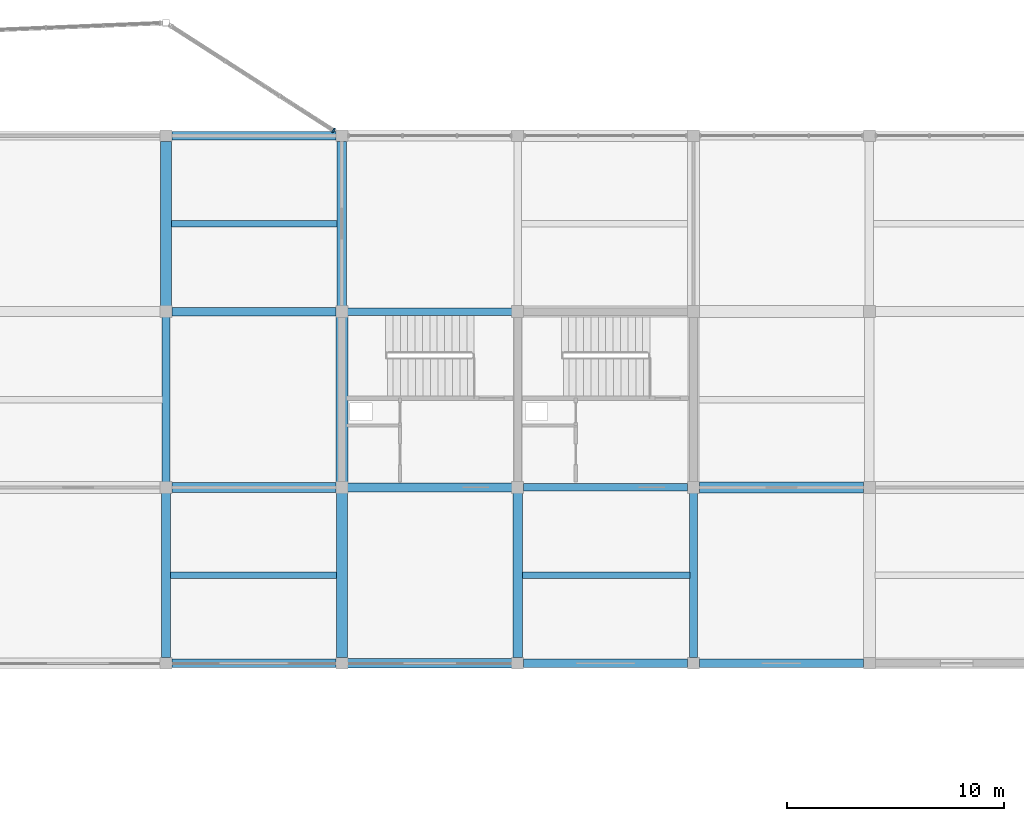
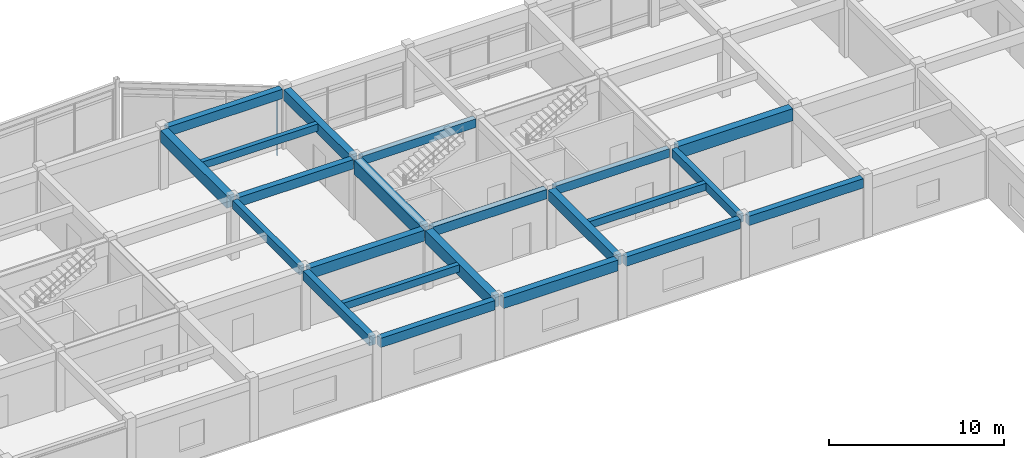
# One storey, part 14 of 42: 22 beams, 1 member, 1 element without a shape of its own.
"""IFC4 building model written with IfcOpenShell, lengths in metres."""

from ifc_helpers import new_model, si_unit, direction, frame, origin, origin_2d, place, context, subcontext, project, spatial, rectangle, extrude, material, layer, layer_set, material_profile, profile_set, type_object, element, aggregate, save


model = new_model("IFC4")

# Units and contexts
model_context = context("Model", 3, precision=1e-05, world=origin(), true_north=direction((0.0, 1.0)))
body_context = subcontext(model_context, "Body", "Model", "MODEL_VIEW")
ifc_project = project(units=[si_unit("LENGTHUNIT", "METRE"), si_unit("AREAUNIT", "SQUARE_METRE"), si_unit("VOLUMEUNIT", "CUBIC_METRE"), si_unit("PLANEANGLEUNIT", "RADIAN"), si_unit("MASSUNIT", "GRAM", prefix="KILO")], contexts=[model_context])

# Site, building, storey
site_placement = place(None, origin())
site = spatial("IfcSite", under=ifc_project, at=site_placement, CompositionType="ELEMENT")
building_placement = place(site_placement, origin())
building = spatial("IfcBuilding", under=site, at=building_placement, Name="Vaudrelin Polytechnic", CompositionType="ELEMENT")
storey_placement = place(building_placement, frame((0.0, 0.0, 18.530029296875)))
storey = spatial("IfcBuildingStorey", under=building, at=storey_placement, Name="L04", CompositionType="ELEMENT", Elevation=18.530029296875)

# Beams
ifc_material_1 = material(Name="Concrete 40 MPa", Category="concrete")
ifc_material_profile_1 = material_profile(ifc_material_1, rectangle(XDim=0.35009765625, YDim=0.60009765625, at=origin_2d()), Name="RC350x600")
ifc_profile_set_1 = profile_set([ifc_material_profile_1], Name="Concrete 40 MPa")
beam_type_1 = type_object("IfcBeamType", Name="BM-BM-RC3560", PredefinedType="BEAM", material=ifc_profile_set_1)
beam_1_placement = place(storey_placement, frame((97.199951171875, 105.56005859375, 3.85986328125), z_axis=(0.0, 1.0, 0.0), x_axis=(-1.0, 0.0, 0.0)))
element("IfcBeam", 1, at=beam_1_placement, inside=storey, type_object=beam_type_1, Name="L04 Y-beam 13-14", PredefinedType="BEAM", context=body_context, shape_type="SweptSolid", body=[
    extrude(rectangle(XDim=0.35009765625, YDim=0.60009765625, at=origin_2d()), origin(), (0.0, 0.0, 1.0), 7.579833984375),
])
beam_2_placement = place(storey_placement, frame((121.5, 97.4599609375, 3.85986328125), z_axis=(0.0, 1.0, 0.0), x_axis=(-1.0, 0.0, 0.0)))
element("IfcBeam", 2, at=beam_2_placement, inside=storey, type_object=beam_type_1, Name="L04 Y-beam 16-13", PredefinedType="BEAM", context=body_context, shape_type="SweptSolid", body=[
    extrude(rectangle(XDim=0.35009765625, YDim=0.60009765625, at=origin_2d()), origin(), (0.0, 0.0, 1.0), 7.580078125),
])
beam_3_placement = place(storey_placement, frame((105.571044921875, 113.39990234375, 3.85986328125), z_axis=(1.0, 0.0, 0.0), x_axis=(0.0, 1.0, 0.0)))
element("IfcBeam", 3, at=beam_3_placement, inside=storey, type_object=beam_type_1, Name="L04 X-beam 14-15", PredefinedType="BEAM", context=body_context, shape_type="SweptSolid", body=[
    extrude(rectangle(XDim=0.35009765625, YDim=0.60009765625, at=origin_2d()), origin(), (0.0, 0.0, 1.0), 7.557861328125),
])
beam_4_placement = place(storey_placement, frame((113.6708984375, 105.300048828125, 3.85986328125), z_axis=(1.0, 0.0, 0.0), x_axis=(0.0, 1.0, 0.0)))
element("IfcBeam", 4, at=beam_4_placement, inside=storey, type_object=beam_type_1, Name="L04 X-beam 15-14", PredefinedType="BEAM", context=body_context, shape_type="SweptSolid", body=[
    extrude(rectangle(XDim=0.35009765625, YDim=0.60009765625, at=origin_2d()), origin(), (0.0, 0.0, 1.0), 7.55810546875),
])
ifc_material_profile_2 = material_profile(ifc_material_1, rectangle(XDim=0.39990234375, YDim=0.64990234375, at=origin_2d()), Name="RC400x650")
ifc_profile_set_2 = profile_set([ifc_material_profile_2], Name="Concrete 40 MPa")
beam_type_2 = type_object("IfcBeamType", Name="BM-BM-RC4065", PredefinedType="BEAM", material=ifc_profile_set_2)
beam_5_placement = place(storey_placement, frame((97.199951171875, 97.4599609375, 3.8349609375), z_axis=(0.0, 1.0, 0.0), x_axis=(-1.0, 0.0, 0.0)))
element("IfcBeam", 5, at=beam_5_placement, inside=storey, type_object=beam_type_2, Name="L04 Y-beam 13-13", PredefinedType="BEAM", context=body_context, shape_type="SweptSolid", body=[
    extrude(rectangle(XDim=0.39990234375, YDim=0.64990234375, at=origin_2d()), origin(), (0.0, 0.0, 1.0), 7.580078125),
])
beam_6_placement = place(storey_placement, frame((97.470947265625, 113.39990234375, 3.8349609375), z_axis=(1.0, 0.0, 0.0), x_axis=(0.0, 1.0, 0.0)))
element("IfcBeam", 6, at=beam_6_placement, inside=storey, type_object=beam_type_2, Name="L04 X-beam 13-15", PredefinedType="BEAM", context=body_context, shape_type="SweptSolid", body=[
    extrude(rectangle(XDim=0.39990234375, YDim=0.64990234375, at=origin_2d()), origin(), (0.0, 0.0, 1.0), 7.55810546875),
])
beam_7_placement = place(storey_placement, frame((105.571044921875, 105.300048828125, 3.8349609375), z_axis=(1.0, 0.0, 0.0), x_axis=(0.0, 1.0, 0.0)))
element("IfcBeam", 7, at=beam_7_placement, inside=storey, type_object=beam_type_2, Name="L04 X-beam 14-14", PredefinedType="BEAM", context=body_context, shape_type="SweptSolid", body=[
    extrude(rectangle(XDim=0.39990234375, YDim=0.64990234375, at=origin_2d()), origin(), (0.0, 0.0, 1.0), 7.557861328125),
])
beam_8_placement = place(storey_placement, frame((113.6708984375, 97.199951171875, 3.8349609375), z_axis=(1.0, 0.0, 0.0), x_axis=(0.0, 1.0, 0.0)))
element("IfcBeam", 8, at=beam_8_placement, inside=storey, type_object=beam_type_2, Name="L04 X-beam 15-13", PredefinedType="BEAM", context=body_context, shape_type="SweptSolid", body=[
    extrude(rectangle(XDim=0.39990234375, YDim=0.64990234375, at=origin_2d()), origin(), (0.0, 0.0, 1.0), 7.55810546875),
])
ifc_material_profile_3 = material_profile(ifc_material_1, rectangle(XDim=0.449951171875, YDim=0.75, at=origin_2d()), Name="RC450x750")
ifc_profile_set_3 = profile_set([ifc_material_profile_3], Name="Concrete 40 MPa")
beam_type_3 = type_object("IfcBeamType", Name="BM-BM-RC4575", PredefinedType="BEAM", material=ifc_profile_set_3)
for number, where, z_axis, x_axis, name in (
    (9, (105.300048828125, 113.659912109375, 3.784912109375), (0.0, 1.0, 0.0), (-1.0, 0.0, 0.0), "L04 Y-beam 14-15"),
    (10, (113.39990234375, 97.4599609375, 3.784912109375), (0.0, 1.0, 0.0), (-1.0, 0.0, 0.0), "L04 Y-beam 15-13"),
):
    element("IfcBeam", number, at=place(storey_placement, frame(where, z_axis=z_axis, x_axis=x_axis)), inside=storey, type_object=beam_type_3, Name=name, PredefinedType="BEAM", context=body_context, shape_type="SweptSolid", body=[
        extrude(rectangle(XDim=0.449951171875, YDim=0.75, at=origin_2d()), origin(), (0.0, 0.0, 1.0), 7.580078125),
    ])
beam_9_placement = place(storey_placement, frame((97.470947265625, 105.300048828125, 3.784912109375), z_axis=(1.0, 0.0, 0.0), x_axis=(0.0, 1.0, 0.0)))
element("IfcBeam", 11, at=beam_9_placement, inside=storey, type_object=beam_type_3, Name="L04 X-beam 13-14", PredefinedType="BEAM", context=body_context, shape_type="SweptSolid", body=[
    extrude(rectangle(XDim=0.449951171875, YDim=0.75, at=origin_2d()), origin(), (0.0, 0.0, 1.0), 7.55810546875),
])
beam_10_placement = place(storey_placement, frame((105.571044921875, 97.199951171875, 3.784912109375), z_axis=(1.0, 0.0, 0.0), x_axis=(0.0, 1.0, 0.0)))
element("IfcBeam", 12, at=beam_10_placement, inside=storey, type_object=beam_type_3, Name="L04 X-beam 14-13", PredefinedType="BEAM", context=body_context, shape_type="SweptSolid", body=[
    extrude(rectangle(XDim=0.449951171875, YDim=0.75, at=origin_2d()), origin(), (0.0, 0.0, 1.0), 7.557861328125),
])
ifc_material_profile_4 = material_profile(ifc_material_1, rectangle(XDim=0.5, YDim=0.85009765625, at=origin_2d()), Name="RC500x850")
ifc_profile_set_4 = profile_set([ifc_material_profile_4], Name="Concrete 40 MPa")
beam_type_4 = type_object("IfcBeamType", Name="BM-BM-RC5085", PredefinedType="BEAM", material=ifc_profile_set_4)
for number, where, z_axis, x_axis, name in (
    (13, (97.199951171875, 113.659912109375, 3.73486328125), (0.0, 1.0, 0.0), (-1.0, 0.0, 0.0), "L04 Y-beam 13-15"),
    (14, (105.300048828125, 97.4599609375, 3.73486328125), (0.0, 1.0, 0.0), (-1.0, 0.0, 0.0), "L04 Y-beam 14-13"),
):
    element("IfcBeam", number, at=place(storey_placement, frame(where, z_axis=z_axis, x_axis=x_axis)), inside=storey, type_object=beam_type_4, Name=name, PredefinedType="BEAM", context=body_context, shape_type="SweptSolid", body=[
        extrude(rectangle(XDim=0.5, YDim=0.85009765625, at=origin_2d()), origin(), (0.0, 0.0, 1.0), 7.580078125),
    ])
beam_11_placement = place(storey_placement, frame((121.77099609375, 105.300048828125, 3.73486328125), z_axis=(1.0, 0.0, 0.0), x_axis=(0.0, 1.0, 0.0)))
element("IfcBeam", 15, at=beam_11_placement, inside=storey, type_object=beam_type_4, Name="L04 X-beam 16-14", PredefinedType="BEAM", context=body_context, shape_type="SweptSolid", body=[
    extrude(rectangle(XDim=0.5, YDim=0.85009765625, at=origin_2d()), origin(), (0.0, 0.0, 1.0), 7.55810546875),
])
ifc_material_2 = material(Name="Concrete 50 MPa", Category="concrete")
ifc_material_profile_5 = material_profile(ifc_material_2, rectangle(XDim=0.550048828125, YDim=0.949951171875, at=origin_2d()), Name="RC550x950")
ifc_profile_set_5 = profile_set([ifc_material_profile_5], Name="Concrete 50 MPa")
beam_type_5 = type_object("IfcBeamType", Name="BM-BM-RC5595", PredefinedType="BEAM", material=ifc_profile_set_5)
beam_12_placement = place(storey_placement, frame((105.300048828125, 105.56005859375, 3.68505859375), z_axis=(0.0, 1.0, 0.0), x_axis=(-1.0, 0.0, 0.0)))
element("IfcBeam", 16, at=beam_12_placement, inside=storey, type_object=beam_type_5, Name="L04 Y-beam 14-14", PredefinedType="BEAM", context=body_context, shape_type="SweptSolid", body=[
    extrude(rectangle(XDim=0.550048828125, YDim=0.949951171875, at=origin_2d()), origin(), (0.0, 0.0, 1.0), 7.579833984375),
])
ifc_material_profile_6 = material_profile(ifc_material_1, rectangle(XDim=0.300048828125, YDim=0.5, at=origin_2d()), Name="RC300x500")
ifc_profile_set_6 = profile_set([ifc_material_profile_6], Name="Concrete 40 MPa")
beam_type_6 = type_object("IfcBeamType", Name="BM-JS-RC3050", PredefinedType="JOIST", material=ifc_profile_set_6)
beam_13_placement = place(storey_placement, frame((97.39599609375, 101.25, 3.909912109375), z_axis=(1.0, 0.0, 0.0), x_axis=(0.0, 1.0, 0.0)))
element("IfcBeam", 17, at=beam_13_placement, inside=storey, type_object=beam_type_6, Name="L04 floor joist 13-13", PredefinedType="JOIST", context=body_context, shape_type="SweptSolid", body=[
    extrude(rectangle(XDim=0.300048828125, YDim=0.5, at=origin_2d()), origin(), (0.0, 0.0, 1.0), 7.657958984375),
])
beam_14_placement = place(storey_placement, frame((97.446044921875, 117.449951171875, 3.909912109375), z_axis=(1.0, 0.0, 0.0), x_axis=(0.0, 1.0, 0.0)))
element("IfcBeam", 18, at=beam_14_placement, inside=storey, type_object=beam_type_6, Name="L04 floor joist 13-15", PredefinedType="JOIST", context=body_context, shape_type="SweptSolid", body=[
    extrude(rectangle(XDim=0.300048828125, YDim=0.5, at=origin_2d()), origin(), (0.0, 0.0, 1.0), 7.633056640625),
])
beam_15_placement = place(storey_placement, frame((113.62109375, 101.25, 3.909912109375), z_axis=(1.0, 0.0, 0.0), x_axis=(0.0, 1.0, 0.0)))
element("IfcBeam", 19, at=beam_15_placement, inside=storey, type_object=beam_type_6, Name="L04 floor joist 15-13", PredefinedType="JOIST", context=body_context, shape_type="SweptSolid", body=[
    extrude(rectangle(XDim=0.300048828125, YDim=0.5, at=origin_2d()), origin(), (0.0, 0.0, 1.0), 7.7080078125),
])
ifc_material_profile_7 = material_profile(ifc_material_1, rectangle(XDim=0.39990234375, YDim=0.64990234375, at=origin_2d()), Name="RC400x650")
ifc_profile_set_7 = profile_set([ifc_material_profile_7], Name="Concrete 40 MPa")
beam_type_7 = type_object("IfcBeamType", Name="BM-SP-RC4065", PredefinedType="SPANDREL", material=ifc_profile_set_7)
for number, where, z_axis, x_axis, name in (
    (20, (97.470947265625, 97.199951171875, 3.8349609375), (1.0, 0.0, 0.0), (0.0, 1.0, 0.0), "L04 X-beam 13-13"),
    (21, (97.470947265625, 121.5, 3.8349609375), (1.0, 0.0, 0.0), (0.0, 1.0, 0.0), "L04 X-beam 13-16"),
    (22, (121.77099609375, 97.199951171875, 3.8349609375), (1.0, 0.0, 0.0), (0.0, 1.0, 0.0), "L04 X-beam 16-13"),
):
    element("IfcBeam", number, at=place(storey_placement, frame(where, z_axis=z_axis, x_axis=x_axis)), inside=storey, type_object=beam_type_7, Name=name, PredefinedType="SPANDREL", context=body_context, shape_type="SweptSolid", body=[
        extrude(rectangle(XDim=0.39990234375, YDim=0.64990234375, at=origin_2d()), origin(), (0.0, 0.0, 1.0), 7.55810546875),
    ])

# Curtain wall, member
ifc_material_3 = material(Name="Thermally broken anodised aluminium AA 6063-T6 and low-e triple glazing", Category="aluminium")
ifc_layer = layer(ifc_material_3, 0.199951171875)
ifc_layer_set = layer_set([ifc_layer], Name="Thermally broken anodised aluminium AA 6063-T6 and low-e triple glazing")
curtain_wall_type = type_object("IfcCurtainWallType", Name="CW-CW-STU", PredefinedType="USERDEFINED", material=ifc_layer_set)
curtain_wall_placement = place(storey_placement, origin())
curtain_wall = element("IfcCurtainWall", 23, at=curtain_wall_placement, inside=storey, type_object=curtain_wall_type, Name="Curtain wall L04 N_OR2_3_0", ObjectType="CURTAIN WALL", PredefinedType="USERDEFINED")
ifc_material_4 = material(Name="Anodised aluminium AA 6063-T6", Category="aluminium")
ifc_material_profile_8 = material_profile(ifc_material_4, rectangle(XDim=0.074951171875, YDim=0.219970703125, at=origin_2d()), Name="CWM-75x220")
ifc_profile_set_8 = profile_set([ifc_material_profile_8], Name="Anodised aluminium AA 6063-T6")
member_type = type_object("IfcMemberType", Name="MEM-CWM-220", PredefinedType="MULLION", material=ifc_profile_set_8)
member_placement = place(storey_placement, frame((104.919921875, 121.744140625, -0.630126953125), z_axis=(0.0, 0.0, 1.0), x_axis=(0.841518560242, -0.540228204344, 0.0)))
member = element("IfcMember", 24, at=member_placement, type_object=member_type, Name="N_OR2_3_0 mullion 4", PredefinedType="MULLION", context=body_context, shape_type="SweptSolid", body=[
    extrude(rectangle(XDim=0.074951171875, YDim=0.219970703125, at=origin_2d()), origin(), (0.0, 0.0, 1.0), 4.440185546875),
])
aggregate(curtain_wall, [member])

save(model, "model.ifc")
